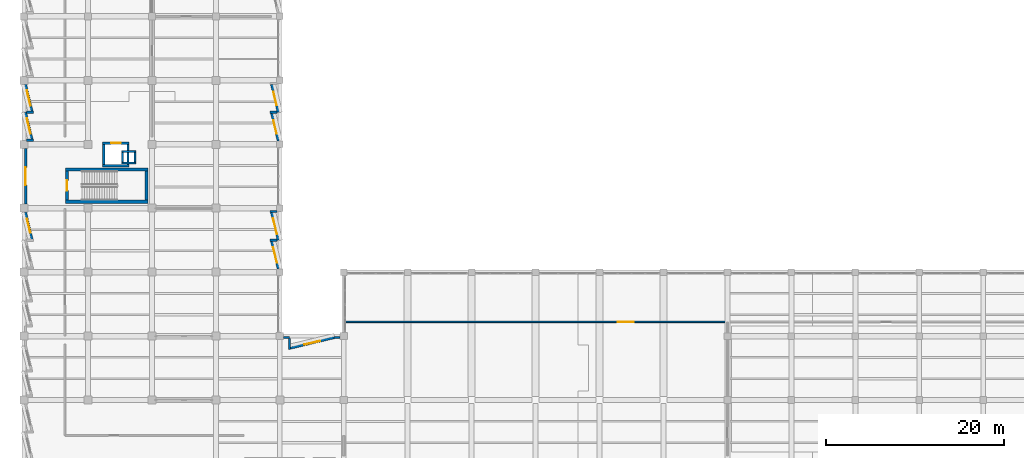
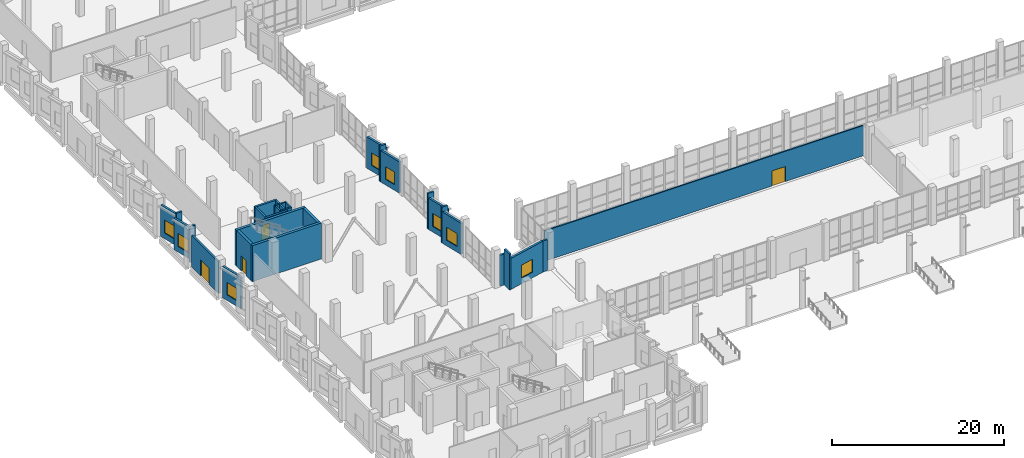
# One storey, part 105 of 137: 30 walls, 8 windows, 4 doors, 12 openings.
"""IFC4 building model written with IfcOpenShell, lengths in metres."""

import ifcopenshell
import ifcopenshell.guid

model = None  # the IFC model being written
_history = None  # IfcOwnerHistory: only IFC2X3 demands one
_inside = {}  # id of a spatial element -> (the spatial element, [elements in it])
_under = {}  # id of a project, library or spatial element -> (it, [spatial elements below it])
_declared = {}  # id of a project -> (the project, [libraries it declares])
_typed = {}  # id of a type object -> (the type object, [elements of that type])
_made_of = {}  # id of a material, layer set ... -> (it, [elements and type objects made of it])


def new_model(schema):
    """Start an empty IFC model of exactly this schema.

    Asked for "IFC4X3", IfcOpenShell would pick the latest addendum, in which some entities
    have other attributes; the version numbers below select the first issue.
    IFC2X3 requires an IfcOwnerHistory on every rooted entity: one is made here for all.
    """
    global model, _history
    if schema == "IFC4X3":
        model = ifcopenshell.file(schema_version=(4, 3, 0, 0))
    else:
        model = ifcopenshell.file(schema=schema)
    _inside.clear()
    _under.clear()
    _declared.clear()
    _typed.clear()
    _made_of.clear()
    _history = None
    if model.schema == "IFC2X3":
        org = make("IfcOrganization", Name="unknown")
        user = make(
            "IfcPersonAndOrganization",
            ThePerson=make("IfcPerson", FamilyName="unknown"),
            TheOrganization=org,
        )
        app = make(
            "IfcApplication",
            ApplicationDeveloper=org,
            Version="unknown",
            ApplicationFullName="unknown",
            ApplicationIdentifier="unknown",
        )
        _history = make(
            "IfcOwnerHistory",
            OwningUser=user,
            OwningApplication=app,
            ChangeAction="ADDED",
            CreationDate=0,
        )
    return model


def make(cls, **values):
    """One entity of the class cls with the attributes given. An attribute that is None is left unset."""
    return model.create_entity(
        cls, **{name: value for name, value in values.items() if value is not None}
    )


def rooted(cls, **values):
    """An entity with a GlobalId (a new one), such as an element, a storey or a relation."""
    return make(cls, GlobalId=ifcopenshell.guid.new(), OwnerHistory=_history, **values)


def si_unit(unit_type, name, prefix=None):
    """IfcSIUnit, for example si_unit("LENGTHUNIT", "METRE", prefix="MILLI")."""
    return make("IfcSIUnit", UnitType=unit_type, Prefix=prefix, Name=name)


def assignment(units):
    """IfcUnitAssignment: the units of a project."""
    return None if units is None else make("IfcUnitAssignment", Units=units)


def point(xyz):
    """IfcCartesianPoint."""
    return None if xyz is None else make("IfcCartesianPoint", Coordinates=xyz)


def direction(xyz):
    """IfcDirection."""
    return None if xyz is None else make("IfcDirection", DirectionRatios=xyz)


def frame(location, z_axis=None, x_axis=None):
    """IfcAxis2Placement3D, a coordinate frame: its origin and axes. An axis left out is left unset."""
    return make(
        "IfcAxis2Placement3D",
        Location=point(location),
        Axis=direction(z_axis),
        RefDirection=direction(x_axis),
    )


def frame_2d(location, x_axis=None):
    """IfcAxis2Placement2D, a coordinate frame in the plane: its origin and x axis."""
    return make(
        "IfcAxis2Placement2D", Location=point(location), RefDirection=direction(x_axis)
    )


def origin():
    """The frame at (0, 0, 0) with its axes left unset."""
    return frame((0.0, 0.0, 0.0))


def place(relative_to, where):
    """IfcLocalPlacement: puts the frame where relative to a parent placement (None: the world)."""
    return make(
        "IfcLocalPlacement", PlacementRelTo=relative_to, RelativePlacement=where
    )


def context(
    kind, dimensions, precision=None, world=None, true_north=None, identifier=None
):
    """IfcGeometricRepresentationContext, for example the 3D "Model" context."""
    return make(
        "IfcGeometricRepresentationContext",
        ContextIdentifier=identifier,
        ContextType=kind,
        CoordinateSpaceDimension=dimensions,
        Precision=precision,
        WorldCoordinateSystem=world,
        TrueNorth=true_north,
    )


def subcontext(parent, identifier, kind, view, scale=None):
    """IfcGeometricRepresentationSubContext, for example "Body" below "Model"."""
    return make(
        "IfcGeometricRepresentationSubContext",
        ContextIdentifier=identifier,
        ContextType=kind,
        ParentContext=parent,
        TargetScale=scale,
        TargetView=view,
    )


def project(units=None, contexts=None):
    """IfcProject with its units and contexts."""
    return rooted(
        "IfcProject",
        Name="project",
        RepresentationContexts=contexts,
        UnitsInContext=assignment(units),
    )


def spatial(cls, under=None, at=None, **own):
    """A site, building, storey or space (cls), placed at a placement, below another one or the project."""
    s = rooted(cls, ObjectPlacement=at, **own)
    if under is not None:
        _under.setdefault(under.id(), (under, []))[1].append(s)
    return s


def profile(cls, at=None, kind="AREA", **sizes):
    """A parametric profile (cls). Its sizes go by their IFC names, for example OverallWidth=200.0."""
    return make(cls, ProfileType=kind, Position=at, **sizes)


def rectangle(**sizes):
    """IfcRectangleProfileDef."""
    return profile("IfcRectangleProfileDef", **sizes)


def extrude(swept, where, along, depth):
    """IfcExtrudedAreaSolid: the profile swept, set in the frame where, extruded along a direction by depth."""
    return make(
        "IfcExtrudedAreaSolid",
        SweptArea=swept,
        Position=where,
        ExtrudedDirection=direction(along),
        Depth=depth,
    )


def shape(context_of_items, identifier, shape_type, items):
    """IfcShapeRepresentation: the items that make up one representation, for example the "Body"."""
    return make(
        "IfcShapeRepresentation",
        ContextOfItems=context_of_items,
        RepresentationIdentifier=identifier,
        RepresentationType=shape_type,
        Items=items,
    )


def material(Name=None, Category=None):
    """IfcMaterial."""
    return make("IfcMaterial", Name=Name, Category=Category)


def layer(
    of_material, thickness, ventilated=None, Name=None, Category=None, Priority=None
):
    """IfcMaterialLayer: one layer of a wall or slab, of a material (None: an air gap)."""
    return make(
        "IfcMaterialLayer",
        Material=of_material,
        LayerThickness=thickness,
        IsVentilated=ventilated,
        Name=Name,
        Category=Category,
        Priority=Priority,
    )


def layer_set(layers, Name=None):
    """IfcMaterialLayerSet."""
    return make("IfcMaterialLayerSet", MaterialLayers=layers, LayerSetName=Name)


def made_of(thing, what):
    """Note that an element or type object is made of a material, layer set ...; save() writes the relation."""
    if what is not None:
        _made_of.setdefault(what.id(), (what, []))[1].append(thing)
    return thing


def type_object(cls, material=None, **own):
    """A type object (cls), such as IfcWallType, which elements share."""
    return made_of(rooted(cls, **own), material)


def element(
    cls,
    number,
    at=None,
    inside=None,
    cuts=None,
    type_object=None,
    material=None,
    context=None,
    identifier="Body",
    shape_type=None,
    held_by="IfcProductDefinitionShape",
    body=None,
    shapes=None,
    **own,
):
    """One element of the class cls, such as IfcWall. Its Tag is "e" and its number.

    at: its placement. inside: the storey or other place that contains it. cuts: it is an
    opening in that element (IfcRelVoidsElement). A single representation is given by context,
    identifier, shape_type and body (its items); several are given by shapes. held_by: the class
    of the entity that holds the representations. save() writes the other relations.
    """
    e = rooted(cls, Tag="e%d" % number, ObjectPlacement=at, **own)
    if body is not None:
        shapes = [shape(context, identifier, shape_type, body)]
    if shapes is not None:
        e.Representation = make(held_by, Representations=shapes)
    if inside is not None:
        _inside.setdefault(inside.id(), (inside, []))[1].append(e)
    if cuts is not None:
        rooted(
            "IfcRelVoidsElement", RelatingBuildingElement=cuts, RelatedOpeningElement=e
        )
    if type_object is not None:
        _typed.setdefault(type_object.id(), (type_object, []))[1].append(e)
    return made_of(e, material)


def fill(opening, filler):
    """IfcRelFillsElement: the door or window that sits in an opening."""
    return rooted(
        "IfcRelFillsElement",
        RelatingOpeningElement=opening,
        RelatedBuildingElement=filler,
    )


def aggregate(whole, parts):
    """IfcRelAggregates: a whole, such as a stair, and the parts it consists of."""
    return rooted("IfcRelAggregates", RelatingObject=whole, RelatedObjects=parts)


def save(model, path):
    """Write the relations noted so far, then the file.

    IfcRelAggregates (storeys below a building ...), IfcRelContainedInSpatialStructure (elements
    in a storey), IfcRelDefinesByType, IfcRelAssociatesMaterial and IfcRelDeclares: one each for
    every whole, place, type object, material and project.
    """
    for whole, parts in _under.values():
        aggregate(whole, parts)
    for where, things in _inside.values():
        rooted(
            "IfcRelContainedInSpatialStructure",
            RelatedElements=things,
            RelatingStructure=where,
        )
    for kind, things in _typed.values():
        rooted("IfcRelDefinesByType", RelatedObjects=things, RelatingType=kind)
    for what, things in _made_of.values():
        rooted("IfcRelAssociatesMaterial", RelatedObjects=things, RelatingMaterial=what)
    for by, libraries in _declared.values():
        rooted("IfcRelDeclares", RelatingContext=by, RelatedDefinitions=libraries)
    model.write(path)


model = new_model("IFC4")

# Units and contexts
model_context = context("Model", 3, precision=1e-05, world=origin(), true_north=direction((0.0, 1.0)))
body_context = subcontext(model_context, "Body", "Model", "MODEL_VIEW")
ifc_project = project(units=[si_unit("LENGTHUNIT", "METRE"), si_unit("AREAUNIT", "SQUARE_METRE"), si_unit("VOLUMEUNIT", "CUBIC_METRE"), si_unit("PLANEANGLEUNIT", "RADIAN"), si_unit("MASSUNIT", "GRAM", prefix="KILO")], contexts=[model_context])

# Site, building, storey
site_placement = place(None, origin())
site = spatial("IfcSite", under=ifc_project, at=site_placement, CompositionType="ELEMENT")
building_placement = place(site_placement, origin())
building = spatial("IfcBuilding", under=site, at=building_placement, Name="Kalmorath City Hall", CompositionType="ELEMENT")
storey_placement = place(building_placement, origin())
storey = spatial("IfcBuildingStorey", under=building, at=storey_placement, Name="L00", CompositionType="ELEMENT", Elevation=0.0)

# Walls
ifc_material_1 = material(Name="Concrete C50/60", Category="concrete")
ifc_layer_1 = layer(ifc_material_1, 0.35009765625)
ifc_layer_set_1 = layer_set([ifc_layer_1], Name="Concrete C50/60")
wall_type_1 = type_object("IfcWallType", Name="Concrete core shear wall 350", PredefinedType="SHEAR", material=ifc_layer_set_1)
for number, where, z_axis, x_axis, name in (
    (1, (4.64990234375, 51.125, 0.0), (0.0, 0.0, 1.0), (1.0, 0.0, 0.0), "L00 C3 stair core shear wall S"),
    (2, (13.949951171875, 54.77490234375, 0.0), (0.0, 0.0, 1.0), (-1.0, 0.0, 0.0), "L00 C3 stair core shear wall N"),
):
    element("IfcWall", number, at=place(storey_placement, frame(where, z_axis=z_axis, x_axis=x_axis)), inside=storey, type_object=wall_type_1, Name=name, PredefinedType="SHEAR", context=body_context, shape_type="SweptSolid", body=[
        extrude(rectangle(XDim=9.300048828125, YDim=0.35009765625, at=frame_2d((4.64990234375, 0.0))), origin(), (0.0, 0.0, 1.0), 5.1201171875),
    ])

# Wall, opening, door
wall_1_placement = place(storey_placement, frame((4.824951171875, 54.60009765625, 0.0), z_axis=(0.0, 0.0, 1.0), x_axis=(0.0, -1.0, 0.0)))
wall_1 = element("IfcWall", 3, at=wall_1_placement, inside=storey, type_object=wall_type_1, Name="L00 C3 stair core shear wall W", PredefinedType="SHEAR", context=body_context, shape_type="SweptSolid", body=[
    extrude(rectangle(XDim=3.300048828125, YDim=0.35009765625, at=frame_2d((1.64990234375, 0.0))), origin(), (0.0, 0.0, 1.0), 5.1201171875),
])
opening_1_placement = place(wall_1_placement, frame((1.074951171875, 0.0, 0.0)))
opening_1 = element("IfcOpeningElement", 4, at=opening_1_placement, cuts=wall_1, Name="Opening D-L00-065", PredefinedType="OPENING", context=body_context, shape_type="SweptSolid", body=[
    extrude(rectangle(XDim=1.14990234375, YDim=2.10009765625, at=frame_2d((0.574951171875, 1.050048828125))), frame((0.0, 0.18505859375, 0.0), z_axis=(0.0, -1.0, 0.0), x_axis=(1.0, 0.0, 0.0)), (0.0, 0.0, 1.0), 0.3701171875),
])
ifc_material_2 = material(Name="Galvanised steel fire door", Category="steel")
door_type_1 = type_object("IfcDoorType", Name="Stair enclosure 90-min fire door 1150x2100", OperationType="NOTDEFINED", PredefinedType="DOOR", material=ifc_material_2)
door_1_placement = place(opening_1_placement, frame((1.14990234375, 0.0, 0.0), z_axis=(0.0, 0.0, 1.0), x_axis=(-1.0, 0.0, 0.0)))
door_1 = element("IfcDoor", 5, at=door_1_placement, inside=storey, type_object=door_type_1, Name="L00 door D-L00-065", OperationType="SINGLE_SWING_LEFT", OverallHeight=2.10009765625, OverallWidth=1.14990234375, PredefinedType="DOOR", context=body_context, shape_type="SweptSolid", body=[
    extrude(rectangle(XDim=1.14990234375, YDim=2.10009765625, at=frame_2d((0.574951171875, 1.050048828125))), frame((0.0, 0.02490234375, 0.0), z_axis=(0.0, -1.0, 0.0), x_axis=(1.0, 0.0, 0.0)), (0.0, 0.0, 1.0), 0.050048828125),
])
fill(opening_1, door_1)

# Walls
wall_2_placement = place(storey_placement, frame((13.77490234375, 51.300048828125, 0.0), z_axis=(0.0, 0.0, 1.0), x_axis=(0.0, 1.0, 0.0)))
element("IfcWall", 6, at=wall_2_placement, inside=storey, type_object=wall_type_1, Name="L00 C3 stair core shear wall E", PredefinedType="SHEAR", context=body_context, shape_type="SweptSolid", body=[
    extrude(rectangle(XDim=3.300048828125, YDim=0.35009765625, at=frame_2d((1.64990234375, 0.0))), origin(), (0.0, 0.0, 1.0), 5.1201171875),
])
ifc_material_3 = material(Name="Concrete C50/60", Category="concrete")
ifc_layer_2 = layer(ifc_material_3, 0.25)
ifc_layer_set_2 = layer_set([ifc_layer_2], Name="Concrete C50/60")
wall_type_2 = type_object("IfcWallType", Name="Concrete lift shaft wall 250", PredefinedType="SHEAR", material=ifc_layer_set_2)
wall_3_placement = place(storey_placement, frame((8.85009765625, 55.175048828125, 0.0), z_axis=(0.0, 0.0, 1.0), x_axis=(1.0, 0.0, 0.0)))
element("IfcWall", 7, at=wall_3_placement, inside=storey, type_object=wall_type_2, Name="L00 PL4 lift shaft wall -y", PredefinedType="SHEAR", context=body_context, shape_type="SweptSolid", body=[
    extrude(rectangle(XDim=3.0, YDim=0.25, at=frame_2d((1.5, 0.0))), origin(), (0.0, 0.0, 1.0), 5.1201171875),
])

# Wall, opening, door
wall_4_placement = place(storey_placement, frame((11.85009765625, 57.72509765625, 0.0), z_axis=(0.0, 0.0, 1.0), x_axis=(-1.0, 0.0, 0.0)))
wall_4 = element("IfcWall", 8, at=wall_4_placement, inside=storey, type_object=wall_type_2, Name="L00 PL4 lift shaft wall +y", PredefinedType="SHEAR", context=body_context, shape_type="SweptSolid", body=[
    extrude(rectangle(XDim=3.0, YDim=0.25, at=frame_2d((1.5, 0.0))), origin(), (0.0, 0.0, 1.0), 5.1201171875),
])
opening_2_placement = place(wall_4_placement, frame((0.949951171875, 0.0, 0.0)))
opening_2 = element("IfcOpeningElement", 9, at=opening_2_placement, cuts=wall_4, Name="Opening LD-073", PredefinedType="OPENING", context=body_context, shape_type="SweptSolid", body=[
    extrude(rectangle(XDim=1.10009765625, YDim=2.10009765625, at=frame_2d((0.550048828125, 1.050048828125))), frame((0.0, 0.135009765625, 0.0), z_axis=(0.0, -1.0, 0.0), x_axis=(1.0, 0.0, 0.0)), (0.0, 0.0, 1.0), 0.27001953125),
])
ifc_material_4 = material(Name="Stainless steel sliding landing door", Category="steel")
door_type_2 = type_object("IfcDoorType", Name="Passenger lift sliding landing door 1100x2100", OperationType="SLIDING_TO_LEFT", PredefinedType="DOOR", material=ifc_material_4)
door_2_placement = place(opening_2_placement, origin())
door_2 = element("IfcDoor", 10, at=door_2_placement, inside=storey, type_object=door_type_2, Name="L00 door LD-073", OperationType="SLIDING_TO_LEFT", OverallHeight=2.10009765625, OverallWidth=1.10009765625, PredefinedType="DOOR", context=body_context, shape_type="SweptSolid", body=[
    extrude(rectangle(XDim=1.10009765625, YDim=2.10009765625, at=frame_2d((0.550048828125, 1.050048828125))), frame((0.0, 0.02490234375, 0.0), z_axis=(0.0, -1.0, 0.0), x_axis=(1.0, 0.0, 0.0)), (0.0, 0.0, 1.0), 0.050048828125),
])
fill(opening_2, door_2)

# Walls
for number, where, z_axis, x_axis, name in (
    (11, (8.97509765625, 57.60009765625, 0.0), (0.0, 0.0, 1.0), (0.0, -1.0, 0.0), "L00 PL4 lift shaft wall -x"),
    (12, (11.72509765625, 55.300048828125, 0.0), (0.0, 0.0, 1.0), (0.0, 1.0, 0.0), "L00 PL4 lift shaft wall +x"),
):
    element("IfcWall", number, at=place(storey_placement, frame(where, z_axis=z_axis, x_axis=x_axis)), inside=storey, type_object=wall_type_2, Name=name, PredefinedType="SHEAR", context=body_context, shape_type="SweptSolid", body=[
        extrude(rectangle(XDim=2.300048828125, YDim=0.25, at=frame_2d((1.14990234375, 0.0))), origin(), (0.0, 0.0, 1.0), 5.1201171875),
    ])
ifc_material_5 = material(Name="Concrete C40/50", Category="concrete")
ifc_layer_3 = layer(ifc_material_5, 0.199951171875)
ifc_layer_set_3 = layer_set([ifc_layer_3], Name="Concrete C40/50")
wall_type_3 = type_object("IfcWallType", Name="Concrete service riser wall 200", PredefinedType="SOLIDWALL", material=ifc_layer_set_3)
for number, where, z_axis, x_axis, name in (
    (13, (11.0, 55.5, 0.0), (0.0, 0.0, 1.0), (1.0, 0.0, 0.0), "L00 RSR-2 riser shaft wall S"),
    (14, (12.60009765625, 56.780029296875, 0.0), (0.0, 0.0, 1.0), (-1.0, 0.0, 0.0), "L00 RSR-2 riser shaft wall N"),
):
    element("IfcWall", number, at=place(storey_placement, frame(where, z_axis=z_axis, x_axis=x_axis)), inside=storey, type_object=wall_type_3, Name=name, PredefinedType="SOLIDWALL", context=body_context, shape_type="SweptSolid", body=[
        extrude(rectangle(XDim=1.60009765625, YDim=0.199951171875, at=frame_2d((0.800048828125, 0.0))), origin(), (0.0, 0.0, 1.0), 5.1201171875),
    ])
for number, where, z_axis, x_axis, name in (
    (15, (11.10009765625, 56.679931640625, 0.0), (0.0, 0.0, 1.0), (0.0, -1.0, 0.0), "L00 RSR-2 riser shaft wall W"),
    (16, (12.5, 55.60009765625, 0.0), (0.0, 0.0, 1.0), (0.0, 1.0, 0.0), "L00 RSR-2 riser shaft wall E"),
):
    element("IfcWall", number, at=place(storey_placement, frame(where, z_axis=z_axis, x_axis=x_axis)), inside=storey, type_object=wall_type_3, Name=name, PredefinedType="SOLIDWALL", context=body_context, shape_type="SweptSolid", body=[
        extrude(rectangle(XDim=1.079833984375, YDim=0.199951171875, at=frame_2d((0.5400390625, 0.0))), origin(), (0.0, 0.0, 1.0), 5.1201171875),
    ])

# Wall, opening, door
ifc_material_6 = material(Name="Fire-rated acoustic gypsum partition")
ifc_layer_4 = layer(ifc_material_6, 0.179931640625)
ifc_layer_set_4 = layer_set([ifc_layer_4], Name="Fire-rated acoustic gypsum partition")
wall_type_4 = type_object("IfcWallType", Name="One-hour corridor fire partition 180", PredefinedType="PARTITIONING", material=ifc_layer_set_4)
wall_5_placement = place(storey_placement, frame((36.219970703125, 37.60009765625, 0.0), z_axis=(0.0, 0.0, 1.0), x_axis=(1.0, 0.0, 0.0)))
wall_5 = element("IfcWall", 17, at=wall_5_placement, inside=storey, type_object=wall_type_4, Name="L00 interior partition PW2 #31", PredefinedType="PARTITIONING", context=body_context, shape_type="SweptSolid", body=[
    extrude(rectangle(XDim=42.93994140625, YDim=0.179931640625, at=frame_2d((21.469970703125, 0.0))), origin(), (0.0, 0.0, 1.0), 4.31103515625),
])
opening_3_placement = place(wall_5_placement, frame((30.64501953125, 0.0, 0.0)))
opening_3 = element("IfcOpeningElement", 18, at=opening_3_placement, cuts=wall_5, Name="Opening D-L00-127", PredefinedType="OPENING", context=body_context, shape_type="SweptSolid", body=[
    extrude(rectangle(XDim=1.800048828125, YDim=2.14990234375, at=frame_2d((0.89990234375, 1.074951171875))), frame((0.0, 0.099853515625, 0.0), z_axis=(0.0, -1.0, 0.0), x_axis=(1.0, 0.0, 0.0)), (0.0, 0.0, 1.0), 0.199951171875),
])
ifc_material_7 = material(Name="Acoustic hardwood fire door", Category="wood")
door_type_3 = type_object("IfcDoorType", Name="Assembly double acoustic fire door 1800x2150", OperationType="DOUBLE_DOOR_SINGLE_SWING", PredefinedType="DOOR", material=ifc_material_7)
door_3_placement = place(opening_3_placement, origin())
door_3 = element("IfcDoor", 19, at=door_3_placement, inside=storey, type_object=door_type_3, Name="L00 door D-L00-127", OperationType="DOUBLE_DOOR_SINGLE_SWING", OverallHeight=2.14990234375, OverallWidth=1.800048828125, PredefinedType="DOOR", context=body_context, shape_type="SweptSolid", body=[
    extrude(rectangle(XDim=1.800048828125, YDim=2.14990234375, at=frame_2d((0.89990234375, 1.074951171875))), frame((0.0, 0.02490234375, 0.0), z_axis=(0.0, -1.0, 0.0), x_axis=(1.0, 0.0, 0.0)), (0.0, 0.0, 1.0), 0.050048828125),
])
fill(opening_3, door_3)

# Walls
ifc_material_8 = material(Name="Precast concrete C40/50", Category="concrete")
ifc_layer_5 = layer(ifc_material_8, 0.239990234375)
ifc_layer_set_5 = layer_set([ifc_layer_5], Name="Precast concrete C40/50")
wall_type_5 = type_object("IfcWallType", Name="Precast sawtooth cheek wall 240", PredefinedType="SOLIDWALL", material=ifc_layer_set_5)
for number, where, z_axis, x_axis, name in (
    (20, (1.06103515625, 58.051025390625, 0.0), (0.0, 0.0, 1.0), (-1.0, 0.0, 0.0), "L00 sawtooth return cheek #31"),
    (21, (1.06103515625, 61.199951171875, 0.0), (0.0, 0.0, 1.0), (-1.0, 0.0, 0.0), "L00 sawtooth return cheek #33"),
):
    element("IfcWall", number, at=place(storey_placement, frame(where, z_axis=z_axis, x_axis=x_axis)), inside=storey, type_object=wall_type_5, Name=name, PredefinedType="SOLIDWALL", context=body_context, shape_type="SweptSolid", body=[
        extrude(rectangle(XDim=0.76904296875, YDim=0.239990234375, at=frame_2d((0.384521484375, 0.0))), origin(), (0.0, 0.0, 1.0), 5.1201171875),
    ])
for number, where, z_axis, x_axis, name in (
    (22, (27.720947265625, 61.199951171875, 0.0), (0.0, 0.0, 1.0), (1.0, 0.0, 0.0), "L00 sawtooth return cheek #154"),
    (23, (27.720947265625, 50.02392578125, 0.0), (0.0, 0.0, 1.0), (1.0, 0.0, 0.0), "L00 sawtooth return cheek #156"),
    (24, (27.720947265625, 46.800048828125, 0.0), (0.0, 0.0, 1.0), (1.0, 0.0, 0.0), "L00 sawtooth return cheek #158"),
):
    element("IfcWall", number, at=place(storey_placement, frame(where, z_axis=z_axis, x_axis=x_axis)), inside=storey, type_object=wall_type_5, Name=name, PredefinedType="SOLIDWALL", context=body_context, shape_type="SweptSolid", body=[
        extrude(rectangle(XDim=0.787109375, YDim=0.239990234375, at=frame_2d((0.3935546875, 0.0))), origin(), (0.0, 0.0, 1.0), 5.1201171875),
    ])
wall_6_placement = place(storey_placement, frame((29.881103515625, 34.485595703125, 0.0), z_axis=(0.0, 0.0, 1.0), x_axis=(0.0, 1.0, 0.0)))
element("IfcWall", 25, at=wall_6_placement, inside=storey, type_object=wall_type_5, Name="L00 sawtooth return cheek #162", PredefinedType="SOLIDWALL", context=body_context, shape_type="SweptSolid", body=[
    extrude(rectangle(XDim=1.232421875, YDim=0.239990234375, at=frame_2d((0.6162109375, 0.0))), origin(), (0.0, 0.0, 1.0), 5.1201171875),
])

# Wall, opening, window
ifc_material_9 = material(Name="Precast concrete C40/50", Category="concrete")
ifc_layer_6 = layer(ifc_material_9, 0.280029296875)
ifc_layer_set_6 = layer_set([ifc_layer_6], Name="Precast concrete C40/50")
wall_type_6 = type_object("IfcWallType", Name="Precast sawtooth facade wall 280", PredefinedType="SOLIDWALL", material=ifc_layer_set_6)
wall_7_placement = place(storey_placement, frame((0.893798828125, 46.892333984375, 0.0), z_axis=(0.0, 0.0, 1.0), x_axis=(-0.233461073712, 0.972366148661, 0.0)))
wall_7 = element("IfcWall", 26, at=wall_7_placement, inside=storey, type_object=wall_type_6, Name="L00 sawtooth precast frame #27", PredefinedType="SOLIDWALL", context=body_context, shape_type="SweptSolid", body=[
    extrude(rectangle(XDim=3.1435546875, YDim=0.280029296875, at=frame_2d((1.57177734375, 0.0))), origin(), (0.0, 0.0, 1.0), 4.4609375),
])
opening_4_placement = place(wall_7_placement, frame((0.771728515625, 0.0, 0.800048828125)))
opening_4 = element("IfcOpeningElement", 27, at=opening_4_placement, cuts=wall_7, Name="Opening WN3", PredefinedType="OPENING", context=body_context, shape_type="SweptSolid", body=[
    extrude(rectangle(XDim=1.60009765625, YDim=1.75, at=frame_2d((0.800048828125, 0.875))), frame((0.0, 0.14990234375, 0.0), z_axis=(0.0, -1.0, 0.0), x_axis=(1.0, 0.0, 0.0)), (0.0, 0.0, 1.0), 0.300048828125),
])
ifc_material_10 = material(Name="Aluminium and laminated glass", Category="aluminium")
window_type_1 = type_object("IfcWindowType", Name="Sawtooth upper window 1600x1750", PartitioningType="SINGLE_PANEL", PredefinedType="WINDOW", material=ifc_material_10)
window_1_placement = place(opening_4_placement, origin())
window_1 = element("IfcWindow", 28, at=window_1_placement, inside=storey, type_object=window_type_1, Name="L00 window WN3-12", OverallHeight=1.75, OverallWidth=1.60009765625, PartitioningType="SINGLE_PANEL", PredefinedType="WINDOW", context=body_context, shape_type="SweptSolid", body=[
    extrude(rectangle(XDim=1.60009765625, YDim=1.75, at=frame_2d((0.800048828125, 0.875))), frame((0.0, 0.030029296875, 0.0), z_axis=(0.0, -1.0, 0.0), x_axis=(1.0, 0.0, 0.0)), (0.0, 0.0, 1.0), 0.06005859375),
])
fill(opening_4, window_1)

# Wall, opening, door
wall_8_placement = place(storey_placement, frame((0.179931640625, 50.85107421875, 0.0), z_axis=(0.0, 0.0, 1.0), x_axis=(0.0, 1.0, 0.0)))
wall_8 = element("IfcWall", 29, at=wall_8_placement, inside=storey, type_object=wall_type_6, Name="L00 entrance portal wall #29", PredefinedType="SOLIDWALL", context=body_context, shape_type="SweptSolid", body=[
    extrude(rectangle(XDim=6.2978515625, YDim=0.280029296875, at=frame_2d((3.14892578125, 0.0))), origin(), (0.0, 0.0, 1.0), 4.4609375),
])
opening_5_placement = place(wall_8_placement, frame((2.14892578125, 0.0, 0.0)))
opening_5 = element("IfcOpeningElement", 30, at=opening_5_placement, cuts=wall_8, Name="Opening D-E002", PredefinedType="OPENING", context=body_context, shape_type="SweptSolid", body=[
    extrude(rectangle(XDim=2.0, YDim=2.25, at=frame_2d((1.0, 1.125))), frame((0.0, 0.14990234375, 0.0), z_axis=(0.0, -1.0, 0.0), x_axis=(1.0, 0.0, 0.0)), (0.0, 0.0, 1.0), 0.300048828125),
])
ifc_material_11 = material(Name="Galvanised steel and impact glass", Category="steel")
door_type_4 = type_object("IfcDoorType", Name="Hurricane exit discharge double door 2000x2250", OperationType="DOUBLE_DOOR_SINGLE_SWING", PredefinedType="DOOR", material=ifc_material_11)
door_4_placement = place(opening_5_placement, origin())
door_4 = element("IfcDoor", 31, at=door_4_placement, inside=storey, type_object=door_type_4, Name="L00 exterior door D-E002", OperationType="DOUBLE_DOOR_SINGLE_SWING", OverallHeight=2.25, OverallWidth=2.0, PredefinedType="DOOR", context=body_context, shape_type="SweptSolid", body=[
    extrude(rectangle(XDim=2.0, YDim=2.25, at=frame_2d((1.0, 1.125))), frame((0.0, 0.02490234375, 0.0), z_axis=(0.0, -1.0, 0.0), x_axis=(1.0, 0.0, 0.0)), (0.0, 0.0, 1.0), 0.050048828125),
])
fill(opening_5, door_4)

# Wall, opening, window
wall_9_placement = place(storey_placement, frame((0.893798828125, 58.143310546875, 0.0), z_axis=(0.0, 0.0, 1.0), x_axis=(-0.233461073712, 0.972366148661, 0.0)))
wall_9 = element("IfcWall", 32, at=wall_9_placement, inside=storey, type_object=wall_type_6, Name="L00 sawtooth precast frame #30", PredefinedType="SOLIDWALL", context=body_context, shape_type="SweptSolid", body=[
    extrude(rectangle(XDim=3.1435546875, YDim=0.280029296875, at=frame_2d((1.57177734375, 0.0))), origin(), (0.0, 0.0, 1.0), 4.4609375),
])
opening_6_placement = place(wall_9_placement, frame((0.671630859375, 0.0, 0.800048828125)))
opening_6 = element("IfcOpeningElement", 33, at=opening_6_placement, cuts=wall_9, Name="Opening WN4", PredefinedType="OPENING", context=body_context, shape_type="SweptSolid", body=[
    extrude(rectangle(XDim=1.800048828125, YDim=1.85009765625, at=frame_2d((0.89990234375, 0.925048828125))), frame((0.0, 0.14990234375, 0.0), z_axis=(0.0, -1.0, 0.0), x_axis=(1.0, 0.0, 0.0)), (0.0, 0.0, 1.0), 0.300048828125),
])
ifc_material_12 = material(Name="Aluminium and laminated glass", Category="aluminium")
window_type_2 = type_object("IfcWindowType", Name="Sawtooth executive window 1800x1850", PartitioningType="SINGLE_PANEL", PredefinedType="WINDOW", material=ifc_material_12)
window_2_placement = place(opening_6_placement, origin())
window_2 = element("IfcWindow", 34, at=window_2_placement, inside=storey, type_object=window_type_2, Name="L00 window WN4-13", OverallHeight=1.85009765625, OverallWidth=1.800048828125, PartitioningType="SINGLE_PANEL", PredefinedType="WINDOW", context=body_context, shape_type="SweptSolid", body=[
    extrude(rectangle(XDim=1.800048828125, YDim=1.85009765625, at=frame_2d((0.89990234375, 0.925048828125))), frame((0.0, 0.030029296875, 0.0), z_axis=(0.0, -1.0, 0.0), x_axis=(1.0, 0.0, 0.0)), (0.0, 0.0, 1.0), 0.06005859375),
])
fill(opening_6, window_2)

wall_10_placement = place(storey_placement, frame((0.893798828125, 61.29248046875, 0.0), z_axis=(0.0, 0.0, 1.0), x_axis=(-0.233461073712, 0.972366148661, 0.0)))
wall_10 = element("IfcWall", 35, at=wall_10_placement, inside=storey, type_object=wall_type_6, Name="L00 sawtooth precast frame #32", PredefinedType="SOLIDWALL", context=body_context, shape_type="SweptSolid", body=[
    extrude(rectangle(XDim=3.1435546875, YDim=0.280029296875, at=frame_2d((1.57177734375, 0.0))), origin(), (0.0, 0.0, 1.0), 4.4609375),
])
opening_7_placement = place(wall_10_placement, frame((0.671630859375, 0.0, 0.800048828125)))
opening_7 = element("IfcOpeningElement", 36, at=opening_7_placement, cuts=wall_10, Name="Opening WN4", PredefinedType="OPENING", context=body_context, shape_type="SweptSolid", body=[
    extrude(rectangle(XDim=1.800048828125, YDim=1.85009765625, at=frame_2d((0.89990234375, 0.925048828125))), frame((0.0, 0.14990234375, 0.0), z_axis=(0.0, -1.0, 0.0), x_axis=(1.0, 0.0, 0.0)), (0.0, 0.0, 1.0), 0.300048828125),
])
window_3_placement = place(opening_7_placement, origin())
window_3 = element("IfcWindow", 37, at=window_3_placement, inside=storey, type_object=window_type_2, Name="L00 window WN4-14", OverallHeight=1.85009765625, OverallWidth=1.800048828125, PartitioningType="SINGLE_PANEL", PredefinedType="WINDOW", context=body_context, shape_type="SweptSolid", body=[
    extrude(rectangle(XDim=1.800048828125, YDim=1.85009765625, at=frame_2d((0.89990234375, 0.925048828125))), frame((0.0, 0.030029296875, 0.0), z_axis=(0.0, -1.0, 0.0), x_axis=(1.0, 0.0, 0.0)), (0.0, 0.0, 1.0), 0.06005859375),
])
fill(opening_7, window_3)

wall_11_placement = place(storey_placement, frame((27.88818359375, 64.33154296875, 0.0), z_axis=(0.0, 0.0, 1.0), x_axis=(0.23341022511, -0.972378355793, 0.0)))
wall_11 = element("IfcWall", 38, at=wall_11_placement, inside=storey, type_object=wall_type_6, Name="L00 sawtooth precast frame #151", PredefinedType="SOLIDWALL", context=body_context, shape_type="SweptSolid", body=[
    extrude(rectangle(XDim=3.220458984375, YDim=0.280029296875, at=frame_2d((1.6103515625, 0.0))), origin(), (0.0, 0.0, 1.0), 4.4609375),
])
opening_8_placement = place(wall_11_placement, frame((0.835205078125, 0.0, 0.800048828125)))
opening_8 = element("IfcOpeningElement", 39, at=opening_8_placement, cuts=wall_11, Name="Opening WN5", PredefinedType="OPENING", context=body_context, shape_type="SweptSolid", body=[
    extrude(rectangle(XDim=1.550048828125, YDim=1.800048828125, at=frame_2d((0.77490234375, 0.89990234375))), frame((0.0, 0.14990234375, 0.0), z_axis=(0.0, -1.0, 0.0), x_axis=(1.0, 0.0, 0.0)), (0.0, 0.0, 1.0), 0.300048828125),
])
ifc_material_13 = material(Name="Aluminium and laminated glass", Category="aluminium")
window_type_3 = type_object("IfcWindowType", Name="Sawtooth corner bay window 1550x1800", PartitioningType="SINGLE_PANEL", PredefinedType="WINDOW", material=ifc_material_13)
window_4_placement = place(opening_8_placement, origin())
window_4 = element("IfcWindow", 40, at=window_4_placement, inside=storey, type_object=window_type_3, Name="L00 window WN5-71", OverallHeight=1.800048828125, OverallWidth=1.550048828125, PartitioningType="SINGLE_PANEL", PredefinedType="WINDOW", context=body_context, shape_type="SweptSolid", body=[
    extrude(rectangle(XDim=1.550048828125, YDim=1.800048828125, at=frame_2d((0.77490234375, 0.89990234375))), frame((0.0, 0.030029296875, 0.0), z_axis=(0.0, -1.0, 0.0), x_axis=(1.0, 0.0, 0.0)), (0.0, 0.0, 1.0), 0.06005859375),
])
fill(opening_8, window_4)

wall_12_placement = place(storey_placement, frame((27.88818359375, 61.107666015625, 0.0), z_axis=(0.0, 0.0, 1.0), x_axis=(0.23341022511, -0.972378355793, 0.0)))
wall_12 = element("IfcWall", 41, at=wall_12_placement, inside=storey, type_object=wall_type_6, Name="L00 sawtooth precast frame #153", PredefinedType="SOLIDWALL", context=body_context, shape_type="SweptSolid", body=[
    extrude(rectangle(XDim=3.220458984375, YDim=0.280029296875, at=frame_2d((1.6103515625, 0.0))), origin(), (0.0, 0.0, 1.0), 4.4609375),
])
opening_9_placement = place(wall_12_placement, frame((0.835205078125, 0.0, 0.800048828125)))
opening_9 = element("IfcOpeningElement", 42, at=opening_9_placement, cuts=wall_12, Name="Opening WN5", PredefinedType="OPENING", context=body_context, shape_type="SweptSolid", body=[
    extrude(rectangle(XDim=1.550048828125, YDim=1.800048828125, at=frame_2d((0.77490234375, 0.89990234375))), frame((0.0, 0.14990234375, 0.0), z_axis=(0.0, -1.0, 0.0), x_axis=(1.0, 0.0, 0.0)), (0.0, 0.0, 1.0), 0.300048828125),
])
window_5_placement = place(opening_9_placement, origin())
window_5 = element("IfcWindow", 43, at=window_5_placement, inside=storey, type_object=window_type_3, Name="L00 window WN5-72", OverallHeight=1.800048828125, OverallWidth=1.550048828125, PartitioningType="SINGLE_PANEL", PredefinedType="WINDOW", context=body_context, shape_type="SweptSolid", body=[
    extrude(rectangle(XDim=1.550048828125, YDim=1.800048828125, at=frame_2d((0.77490234375, 0.89990234375))), frame((0.0, 0.030029296875, 0.0), z_axis=(0.0, -1.0, 0.0), x_axis=(1.0, 0.0, 0.0)), (0.0, 0.0, 1.0), 0.06005859375),
])
fill(opening_9, window_5)

wall_13_placement = place(storey_placement, frame((27.88818359375, 49.931640625, 0.0), z_axis=(0.0, 0.0, 1.0), x_axis=(0.23341022511, -0.972378355793, 0.0)))
wall_13 = element("IfcWall", 44, at=wall_13_placement, inside=storey, type_object=wall_type_6, Name="L00 sawtooth precast frame #155", PredefinedType="SOLIDWALL", context=body_context, shape_type="SweptSolid", body=[
    extrude(rectangle(XDim=3.220458984375, YDim=0.280029296875, at=frame_2d((1.6103515625, 0.0))), origin(), (0.0, 0.0, 1.0), 4.4609375),
])
opening_10_placement = place(wall_13_placement, frame((0.710205078125, 0.0, 0.800048828125)))
opening_10 = element("IfcOpeningElement", 45, at=opening_10_placement, cuts=wall_13, Name="Opening WN4", PredefinedType="OPENING", context=body_context, shape_type="SweptSolid", body=[
    extrude(rectangle(XDim=1.800048828125, YDim=1.85009765625, at=frame_2d((0.89990234375, 0.925048828125))), frame((0.0, 0.14990234375, 0.0), z_axis=(0.0, -1.0, 0.0), x_axis=(1.0, 0.0, 0.0)), (0.0, 0.0, 1.0), 0.300048828125),
])
window_6_placement = place(opening_10_placement, origin())
window_6 = element("IfcWindow", 46, at=window_6_placement, inside=storey, type_object=window_type_2, Name="L00 window WN4-73", OverallHeight=1.85009765625, OverallWidth=1.800048828125, PartitioningType="SINGLE_PANEL", PredefinedType="WINDOW", context=body_context, shape_type="SweptSolid", body=[
    extrude(rectangle(XDim=1.800048828125, YDim=1.85009765625, at=frame_2d((0.89990234375, 0.925048828125))), frame((0.0, 0.030029296875, 0.0), z_axis=(0.0, -1.0, 0.0), x_axis=(1.0, 0.0, 0.0)), (0.0, 0.0, 1.0), 0.06005859375),
])
fill(opening_10, window_6)

wall_14_placement = place(storey_placement, frame((27.88818359375, 46.70751953125, 0.0), z_axis=(0.0, 0.0, 1.0), x_axis=(0.23341022511, -0.972378355793, 0.0)))
wall_14 = element("IfcWall", 47, at=wall_14_placement, inside=storey, type_object=wall_type_6, Name="L00 sawtooth precast frame #157", PredefinedType="SOLIDWALL", context=body_context, shape_type="SweptSolid", body=[
    extrude(rectangle(XDim=3.220458984375, YDim=0.280029296875, at=frame_2d((1.6103515625, 0.0))), origin(), (0.0, 0.0, 1.0), 4.4609375),
])
opening_11_placement = place(wall_14_placement, frame((0.710205078125, 0.0, 0.800048828125)))
opening_11 = element("IfcOpeningElement", 48, at=opening_11_placement, cuts=wall_14, Name="Opening WN4", PredefinedType="OPENING", context=body_context, shape_type="SweptSolid", body=[
    extrude(rectangle(XDim=1.800048828125, YDim=1.85009765625, at=frame_2d((0.89990234375, 0.925048828125))), frame((0.0, 0.14990234375, 0.0), z_axis=(0.0, -1.0, 0.0), x_axis=(1.0, 0.0, 0.0)), (0.0, 0.0, 1.0), 0.300048828125),
])
window_7_placement = place(opening_11_placement, origin())
window_7 = element("IfcWindow", 49, at=window_7_placement, inside=storey, type_object=window_type_2, Name="L00 window WN4-74", OverallHeight=1.85009765625, OverallWidth=1.800048828125, PartitioningType="SINGLE_PANEL", PredefinedType="WINDOW", context=body_context, shape_type="SweptSolid", body=[
    extrude(rectangle(XDim=1.800048828125, YDim=1.85009765625, at=frame_2d((0.89990234375, 0.925048828125))), frame((0.0, 0.030029296875, 0.0), z_axis=(0.0, -1.0, 0.0), x_axis=(1.0, 0.0, 0.0)), (0.0, 0.0, 1.0), 0.06005859375),
])
fill(opening_11, window_7)

wall_15_placement = place(storey_placement, frame((29.973388671875, 34.652587890625, 0.0), z_axis=(0.0, 0.0, 1.0), x_axis=(0.972362024801, 0.233478248933, 0.0)))
wall_15 = element("IfcWall", 50, at=wall_15_placement, inside=storey, type_object=wall_type_6, Name="L00 sawtooth precast frame #161", PredefinedType="SOLIDWALL", context=body_context, shape_type="SweptSolid", body=[
    extrude(rectangle(XDim=5.086181640625, YDim=0.280029296875, at=frame_2d((2.54296875, 0.0))), origin(), (0.0, 0.0, 1.0), 4.410888671875),
])
opening_12_placement = place(wall_15_placement, frame((1.64306640625, 0.0, 0.800048828125)))
opening_12 = element("IfcOpeningElement", 51, at=opening_12_placement, cuts=wall_15, Name="Opening WN4", PredefinedType="OPENING", context=body_context, shape_type="SweptSolid", body=[
    extrude(rectangle(XDim=1.800048828125, YDim=1.85009765625, at=frame_2d((0.89990234375, 0.925048828125))), frame((0.0, 0.14990234375, 0.0), z_axis=(0.0, -1.0, 0.0), x_axis=(1.0, 0.0, 0.0)), (0.0, 0.0, 1.0), 0.300048828125),
])
window_8_placement = place(opening_12_placement, origin())
window_8 = element("IfcWindow", 52, at=window_8_placement, inside=storey, type_object=window_type_2, Name="L00 window WN4-75", OverallHeight=1.85009765625, OverallWidth=1.800048828125, PartitioningType="SINGLE_PANEL", PredefinedType="WINDOW", context=body_context, shape_type="SweptSolid", body=[
    extrude(rectangle(XDim=1.800048828125, YDim=1.85009765625, at=frame_2d((0.89990234375, 0.925048828125))), frame((0.0, 0.030029296875, 0.0), z_axis=(0.0, -1.0, 0.0), x_axis=(1.0, 0.0, 0.0)), (0.0, 0.0, 1.0), 0.06005859375),
])
fill(opening_12, window_8)

# Walls
ifc_material_14 = material(Name="Precast concrete C40/50", Category="concrete")
ifc_layer_7 = layer(ifc_material_14, 0.260009765625)
ifc_layer_set_7 = layer_set([ifc_layer_7], Name="Precast concrete C40/50")
wall_type_7 = type_object("IfcWallType", Name="Precast sawtooth return wall 260", PredefinedType="SOLIDWALL", material=ifc_layer_set_7)
for number, where, z_axis, x_axis, name in (
    (53, (29.200927734375, 35.840087890625, 0.0), (0.0, 0.0, 1.0), (1.0, 0.0, 0.0), "L00 corner pier wall #159"),
    (54, (34.9189453125, 35.840087890625, 0.0), (0.0, 0.0, 1.0), (1.0, 0.0, 0.0), "L00 corner pier wall #160"),
):
    element("IfcWall", number, at=place(storey_placement, frame(where, z_axis=z_axis, x_axis=x_axis)), inside=storey, type_object=wall_type_7, Name=name, PredefinedType="SOLIDWALL", context=body_context, shape_type="SweptSolid", body=[
        extrude(rectangle(XDim=0.68017578125, YDim=0.260009765625, at=frame_2d((0.340087890625, 0.0))), origin(), (0.0, 0.0, 1.0), 4.410888671875),
    ])

save(model, "model.ifc")
